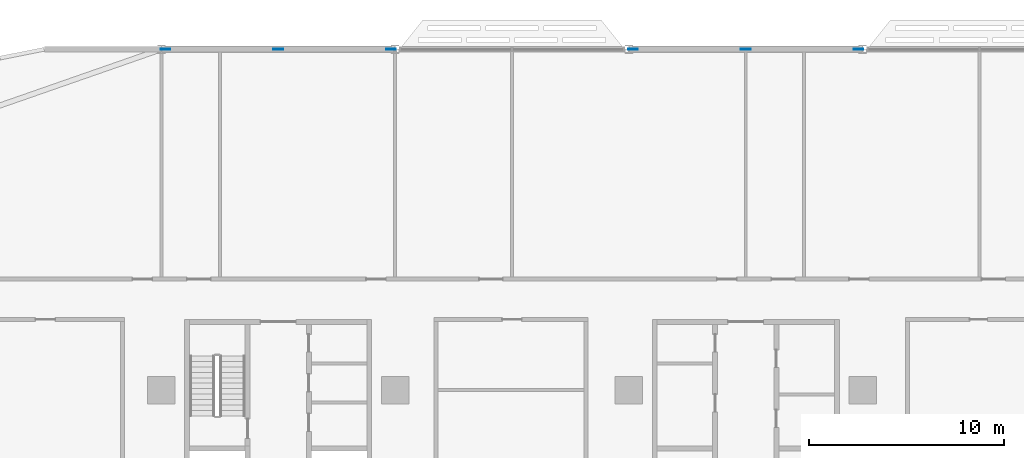
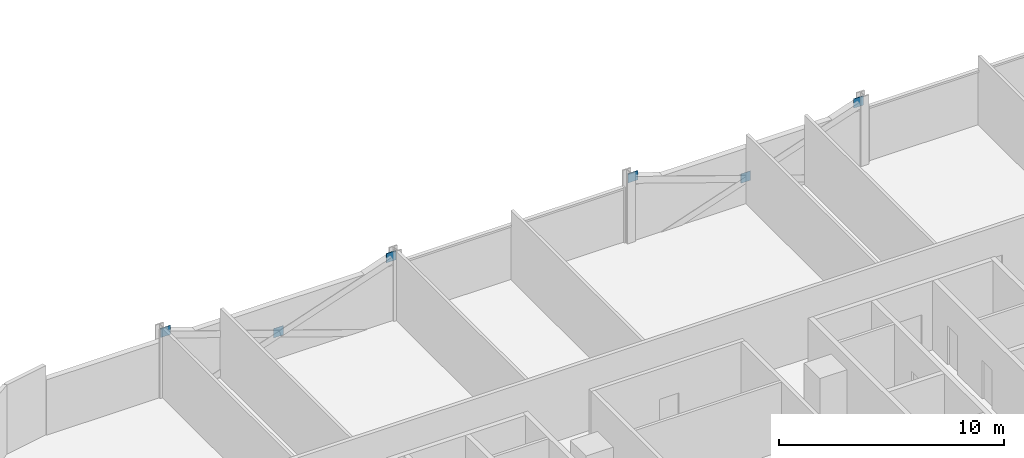
# One storey, part 20 of 29: 6 discrete accessories.
"""IFC4 building model written with IfcOpenShell, lengths in metres."""

import ifcopenshell
import ifcopenshell.guid

model = None  # the IFC model being written
_history = None  # IfcOwnerHistory: only IFC2X3 demands one
_inside = {}  # id of a spatial element -> (the spatial element, [elements in it])
_under = {}  # id of a project, library or spatial element -> (it, [spatial elements below it])
_declared = {}  # id of a project -> (the project, [libraries it declares])
_typed = {}  # id of a type object -> (the type object, [elements of that type])
_made_of = {}  # id of a material, layer set ... -> (it, [elements and type objects made of it])


def new_model(schema):
    """Start an empty IFC model of exactly this schema.

    Asked for "IFC4X3", IfcOpenShell would pick the latest addendum, in which some entities
    have other attributes; the version numbers below select the first issue.
    IFC2X3 requires an IfcOwnerHistory on every rooted entity: one is made here for all.
    """
    global model, _history
    if schema == "IFC4X3":
        model = ifcopenshell.file(schema_version=(4, 3, 0, 0))
    else:
        model = ifcopenshell.file(schema=schema)
    _inside.clear()
    _under.clear()
    _declared.clear()
    _typed.clear()
    _made_of.clear()
    _history = None
    if model.schema == "IFC2X3":
        org = make("IfcOrganization", Name="unknown")
        user = make(
            "IfcPersonAndOrganization",
            ThePerson=make("IfcPerson", FamilyName="unknown"),
            TheOrganization=org,
        )
        app = make(
            "IfcApplication",
            ApplicationDeveloper=org,
            Version="unknown",
            ApplicationFullName="unknown",
            ApplicationIdentifier="unknown",
        )
        _history = make(
            "IfcOwnerHistory",
            OwningUser=user,
            OwningApplication=app,
            ChangeAction="ADDED",
            CreationDate=0,
        )
    return model


def make(cls, **values):
    """One entity of the class cls with the attributes given. An attribute that is None is left unset."""
    return model.create_entity(
        cls, **{name: value for name, value in values.items() if value is not None}
    )


def rooted(cls, **values):
    """An entity with a GlobalId (a new one), such as an element, a storey or a relation."""
    return make(cls, GlobalId=ifcopenshell.guid.new(), OwnerHistory=_history, **values)


def si_unit(unit_type, name, prefix=None):
    """IfcSIUnit, for example si_unit("LENGTHUNIT", "METRE", prefix="MILLI")."""
    return make("IfcSIUnit", UnitType=unit_type, Prefix=prefix, Name=name)


def assignment(units):
    """IfcUnitAssignment: the units of a project."""
    return None if units is None else make("IfcUnitAssignment", Units=units)


def point(xyz):
    """IfcCartesianPoint."""
    return None if xyz is None else make("IfcCartesianPoint", Coordinates=xyz)


def direction(xyz):
    """IfcDirection."""
    return None if xyz is None else make("IfcDirection", DirectionRatios=xyz)


def frame(location, z_axis=None, x_axis=None):
    """IfcAxis2Placement3D, a coordinate frame: its origin and axes. An axis left out is left unset."""
    return make(
        "IfcAxis2Placement3D",
        Location=point(location),
        Axis=direction(z_axis),
        RefDirection=direction(x_axis),
    )


def frame_2d(location, x_axis=None):
    """IfcAxis2Placement2D, a coordinate frame in the plane: its origin and x axis."""
    return make(
        "IfcAxis2Placement2D", Location=point(location), RefDirection=direction(x_axis)
    )


def origin():
    """The frame at (0, 0, 0) with its axes left unset."""
    return frame((0.0, 0.0, 0.0))


def origin_2d():
    """The frame at (0, 0) in the plane with its x axis left unset."""
    return frame_2d((0.0, 0.0))


def place(relative_to, where):
    """IfcLocalPlacement: puts the frame where relative to a parent placement (None: the world)."""
    return make(
        "IfcLocalPlacement", PlacementRelTo=relative_to, RelativePlacement=where
    )


def context(
    kind, dimensions, precision=None, world=None, true_north=None, identifier=None
):
    """IfcGeometricRepresentationContext, for example the 3D "Model" context."""
    return make(
        "IfcGeometricRepresentationContext",
        ContextIdentifier=identifier,
        ContextType=kind,
        CoordinateSpaceDimension=dimensions,
        Precision=precision,
        WorldCoordinateSystem=world,
        TrueNorth=true_north,
    )


def subcontext(parent, identifier, kind, view, scale=None):
    """IfcGeometricRepresentationSubContext, for example "Body" below "Model"."""
    return make(
        "IfcGeometricRepresentationSubContext",
        ContextIdentifier=identifier,
        ContextType=kind,
        ParentContext=parent,
        TargetScale=scale,
        TargetView=view,
    )


def project(units=None, contexts=None):
    """IfcProject with its units and contexts."""
    return rooted(
        "IfcProject",
        Name="project",
        RepresentationContexts=contexts,
        UnitsInContext=assignment(units),
    )


def spatial(cls, under=None, at=None, **own):
    """A site, building, storey or space (cls), placed at a placement, below another one or the project."""
    s = rooted(cls, ObjectPlacement=at, **own)
    if under is not None:
        _under.setdefault(under.id(), (under, []))[1].append(s)
    return s


def profile(cls, at=None, kind="AREA", **sizes):
    """A parametric profile (cls). Its sizes go by their IFC names, for example OverallWidth=200.0."""
    return make(cls, ProfileType=kind, Position=at, **sizes)


def rectangle(**sizes):
    """IfcRectangleProfileDef."""
    return profile("IfcRectangleProfileDef", **sizes)


def extrude(swept, where, along, depth):
    """IfcExtrudedAreaSolid: the profile swept, set in the frame where, extruded along a direction by depth."""
    return make(
        "IfcExtrudedAreaSolid",
        SweptArea=swept,
        Position=where,
        ExtrudedDirection=direction(along),
        Depth=depth,
    )


def shape(context_of_items, identifier, shape_type, items):
    """IfcShapeRepresentation: the items that make up one representation, for example the "Body"."""
    return make(
        "IfcShapeRepresentation",
        ContextOfItems=context_of_items,
        RepresentationIdentifier=identifier,
        RepresentationType=shape_type,
        Items=items,
    )


def material(Name=None, Category=None):
    """IfcMaterial."""
    return make("IfcMaterial", Name=Name, Category=Category)


def layer(
    of_material, thickness, ventilated=None, Name=None, Category=None, Priority=None
):
    """IfcMaterialLayer: one layer of a wall or slab, of a material (None: an air gap)."""
    return make(
        "IfcMaterialLayer",
        Material=of_material,
        LayerThickness=thickness,
        IsVentilated=ventilated,
        Name=Name,
        Category=Category,
        Priority=Priority,
    )


def layer_set(layers, Name=None):
    """IfcMaterialLayerSet."""
    return make("IfcMaterialLayerSet", MaterialLayers=layers, LayerSetName=Name)


def made_of(thing, what):
    """Note that an element or type object is made of a material, layer set ...; save() writes the relation."""
    if what is not None:
        _made_of.setdefault(what.id(), (what, []))[1].append(thing)
    return thing


def type_object(cls, material=None, **own):
    """A type object (cls), such as IfcWallType, which elements share."""
    return made_of(rooted(cls, **own), material)


def element(
    cls,
    number,
    at=None,
    inside=None,
    cuts=None,
    type_object=None,
    material=None,
    context=None,
    identifier="Body",
    shape_type=None,
    held_by="IfcProductDefinitionShape",
    body=None,
    shapes=None,
    **own,
):
    """One element of the class cls, such as IfcWall. Its Tag is "e" and its number.

    at: its placement. inside: the storey or other place that contains it. cuts: it is an
    opening in that element (IfcRelVoidsElement). A single representation is given by context,
    identifier, shape_type and body (its items); several are given by shapes. held_by: the class
    of the entity that holds the representations. save() writes the other relations.
    """
    e = rooted(cls, Tag="e%d" % number, ObjectPlacement=at, **own)
    if body is not None:
        shapes = [shape(context, identifier, shape_type, body)]
    if shapes is not None:
        e.Representation = make(held_by, Representations=shapes)
    if inside is not None:
        _inside.setdefault(inside.id(), (inside, []))[1].append(e)
    if cuts is not None:
        rooted(
            "IfcRelVoidsElement", RelatingBuildingElement=cuts, RelatedOpeningElement=e
        )
    if type_object is not None:
        _typed.setdefault(type_object.id(), (type_object, []))[1].append(e)
    return made_of(e, material)


def aggregate(whole, parts):
    """IfcRelAggregates: a whole, such as a stair, and the parts it consists of."""
    return rooted("IfcRelAggregates", RelatingObject=whole, RelatedObjects=parts)


def save(model, path):
    """Write the relations noted so far, then the file.

    IfcRelAggregates (storeys below a building ...), IfcRelContainedInSpatialStructure (elements
    in a storey), IfcRelDefinesByType, IfcRelAssociatesMaterial and IfcRelDeclares: one each for
    every whole, place, type object, material and project.
    """
    for whole, parts in _under.values():
        aggregate(whole, parts)
    for where, things in _inside.values():
        rooted(
            "IfcRelContainedInSpatialStructure",
            RelatedElements=things,
            RelatingStructure=where,
        )
    for kind, things in _typed.values():
        rooted("IfcRelDefinesByType", RelatedObjects=things, RelatingType=kind)
    for what, things in _made_of.values():
        rooted("IfcRelAssociatesMaterial", RelatedObjects=things, RelatingMaterial=what)
    for by, libraries in _declared.values():
        rooted("IfcRelDeclares", RelatingContext=by, RelatedDefinitions=libraries)
    model.write(path)


model = new_model("IFC4")

# Units and contexts
model_context = context("Model", 3, precision=1e-05, world=origin(), true_north=direction((0.0, 1.0)))
body_context = subcontext(model_context, "Body", "Model", "MODEL_VIEW")
ifc_project = project(units=[si_unit("LENGTHUNIT", "METRE"), si_unit("AREAUNIT", "SQUARE_METRE"), si_unit("VOLUMEUNIT", "CUBIC_METRE"), si_unit("PLANEANGLEUNIT", "RADIAN"), si_unit("MASSUNIT", "GRAM", prefix="KILO")], contexts=[model_context])

# Site, building, storey
site_placement = place(None, origin())
site = spatial("IfcSite", under=ifc_project, at=site_placement, CompositionType="ELEMENT")
building_placement = place(site_placement, origin())
building = spatial("IfcBuilding", under=site, at=building_placement, Name="Mahtab Terrace Research Tower", CompositionType="ELEMENT")
storey_placement = place(building_placement, frame((0.0, 0.0, 97.10009765625)))
storey = spatial("IfcBuildingStorey", under=building, at=storey_placement, Name="L22", CompositionType="ELEMENT", Elevation=97.10009765625)

# Discrete accessories
ifc_material = material(Name="Steel ASTM A992 Gr 50", Category="steel")
ifc_layer = layer(ifc_material, 0.030029296875)
ifc_layer_set = layer_set([ifc_layer], Name="Gusset plate 500x500x30")
discrete_accessory_type = type_object("IfcDiscreteAccessoryType", Name="Gusset plate 500x500x30", PredefinedType="USERDEFINED", material=ifc_layer_set)
for number, where, z_axis, x_axis, name in (
    (1, (-29.790283203125, 29.0, 3.13134765625), (0.0, 0.0, 1.0), (1.0, 0.0, 0.0), "Gusset plate"),
    (2, (-24.0, 29.0, 1.081298828125), (0.0, 0.0, 1.0), (1.0, 0.0, 0.0), "Gusset plate"),
    (3, (-18.209716796875, 29.0, 3.13134765625), (0.0, 0.0, 1.0), (1.0, 0.0, 0.0), "Gusset plate"),
    (4, (-5.790283203125, 29.0, 3.13134765625), (0.0, 0.0, 1.0), (1.0, 0.0, 0.0), "Gusset plate"),
    (5, (0.0, 29.0, 1.081298828125), (0.0, 0.0, 1.0), (1.0, 0.0, 0.0), "Gusset plate"),
    (6, (5.790283203125, 29.0, 3.13134765625), (0.0, 0.0, 1.0), (1.0, 0.0, 0.0), "Gusset plate"),
):
    element("IfcDiscreteAccessory", number, at=place(storey_placement, frame(where, z_axis=z_axis, x_axis=x_axis)), inside=storey, type_object=discrete_accessory_type, Name=name, ObjectType="GUSSET PLATE", PredefinedType="USERDEFINED", context=body_context, shape_type="SweptSolid", body=[
        extrude(rectangle(XDim=0.5, YDim=0.030029296875, at=origin_2d()), origin(), (0.0, 0.0, 1.0), 0.5),
    ])

save(model, "model.ifc")
